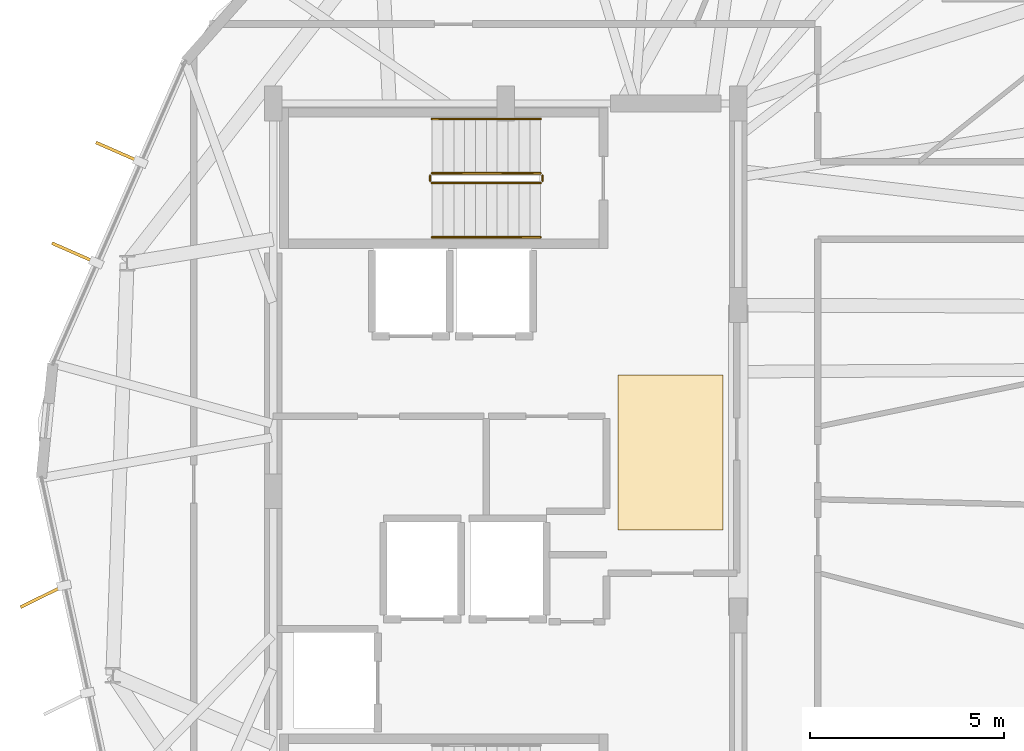
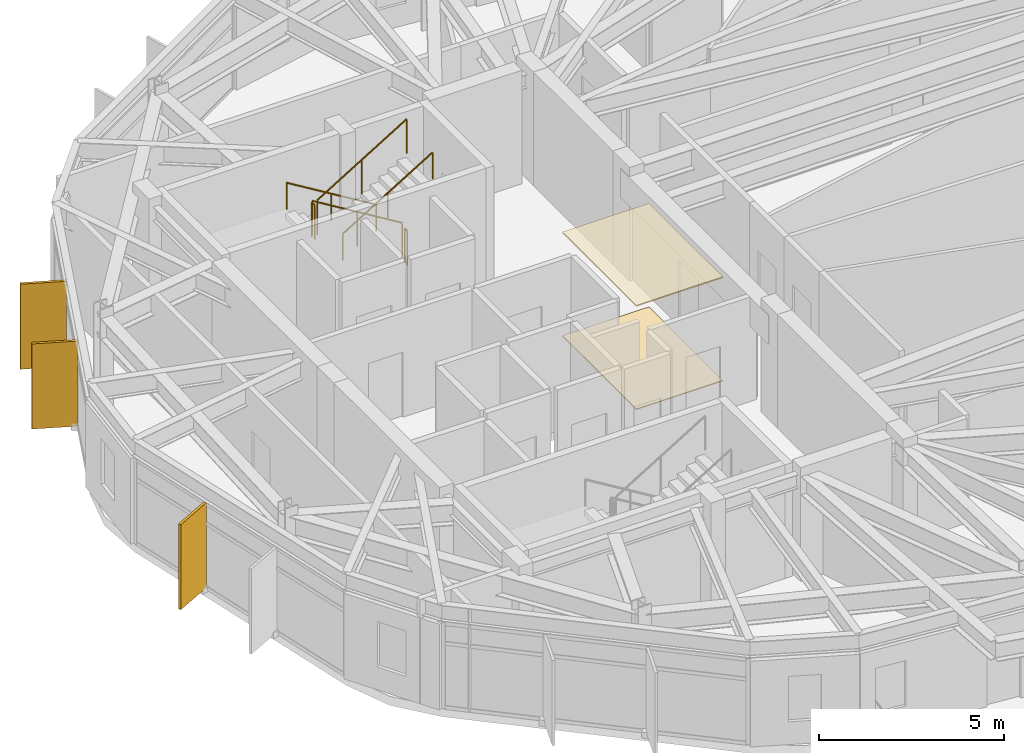
# One storey, part 24 of 25: 6 railings, 3 shading devices, 2 coverings.
"""IFC4 building model written with IfcOpenShell, lengths in metres."""

from ifc_helpers import new_model, si_unit, direction, frame, origin, origin_2d, place, context, subcontext, project, spatial, polyline, rectangle, circle, outline, extrude, material, layer, layer_set, type_object, element, save


model = new_model("IFC4")

# Units and contexts
model_context = context("Model", 3, precision=1e-05, world=origin(), true_north=direction((0.0, 1.0)))
body_context = subcontext(model_context, "Body", "Model", "MODEL_VIEW")
ifc_project = project(units=[si_unit("LENGTHUNIT", "METRE"), si_unit("AREAUNIT", "SQUARE_METRE"), si_unit("VOLUMEUNIT", "CUBIC_METRE"), si_unit("PLANEANGLEUNIT", "RADIAN"), si_unit("MASSUNIT", "GRAM", prefix="KILO")], contexts=[model_context])

# Site, building, storey
site_placement = place(None, origin())
site = spatial("IfcSite", under=ifc_project, at=site_placement, CompositionType="ELEMENT")
building_placement = place(site_placement, origin())
building = spatial("IfcBuilding", under=site, at=building_placement, Name="Soratama Intermodal Tower", CompositionType="ELEMENT")
storey_placement = place(building_placement, frame((0.0, 0.0, 276.25)))
storey = spatial("IfcBuildingStorey", under=building, at=storey_placement, Name="L70", CompositionType="ELEMENT", Elevation=276.25)

# Coverings
ifc_material_1 = material(Name="Perforated mineral acoustic ceiling", Category="concrete")
ifc_layer_1 = layer(ifc_material_1, 0.0400390625)
ifc_layer_set_1 = layer_set([ifc_layer_1], Name="Perforated mineral acoustic ceiling")
covering_type_1 = type_object("IfcCoveringType", Name="CV-CEIL-ACOUSTIC", PredefinedType="CEILING", material=ifc_layer_set_1)
covering_1_placement = place(storey_placement, frame((0.0, 0.0, 3.409912109375)))
element("IfcCovering", 1, at=covering_1_placement, inside=storey, type_object=covering_type_1, Name="L70 Acoustic Ceiling", PredefinedType="CEILING", context=body_context, shape_type="SweptSolid", body=[
    extrude(outline(polyline([(41.5, 24.0), (44.199951171875, 24.0), (44.199951171875, 28.0), (41.5, 28.0), (41.5, 24.0)])), origin(), (0.0, 0.0, 1.0), 0.0400390625),
])
ifc_material_2 = material(Name="Polished Andean stone terrazzo flooring", Category="masonry")
ifc_layer_2 = layer(ifc_material_2, 0.030029296875)
ifc_layer_set_2 = layer_set([ifc_layer_2], Name="Polished Andean stone terrazzo flooring")
covering_type_2 = type_object("IfcCoveringType", Name="CV-FLOR-TERRAZZO", PredefinedType="FLOORING", material=ifc_layer_set_2)
covering_2_placement = place(storey_placement, origin())
element("IfcCovering", 2, at=covering_2_placement, inside=storey, type_object=covering_type_2, Name="L70 Lobby Terrazzo Flooring", PredefinedType="FLOORING", context=body_context, shape_type="SweptSolid", body=[
    extrude(outline(polyline([(41.5, 24.0), (44.199951171875, 24.0), (44.199951171875, 28.0), (41.5, 28.0), (41.5, 24.0)])), origin(), (0.0, 0.0, 1.0), 0.030029296875),
])

# Railings
ifc_material_3 = material(Name="Painted steel stair guardrail", Category="steel")
railing_type_1 = type_object("IfcRailingType", Name="RL-STAIR-GUARD", PredefinedType="GUARDRAIL", material=ifc_material_3)
railing_1_placement = place(storey_placement, frame((39.5, 33.199951171875, 0.17041015625)))
element("IfcRailing", 3, at=railing_1_placement, inside=storey, type_object=railing_type_1, Name="L70 ST-2 stair guard 1", PredefinedType="GUARDRAIL", context=body_context, shape_type="SweptSolid", body=[
    extrude(circle(Radius=0.02392578125, at=origin_2d()), frame((0.0, 0.0, 1.1259765625), z_axis=(-0.854169791009, 0.0, 0.51999420009), x_axis=(0.0, -1.0, 0.0)), (0.0, 0.0, 1.0), 3.278076171875),
    extrude(circle(Radius=0.02099609375, at=origin_2d()), origin(), (0.0, 0.0, 1.0), 1.101806640625),
    extrude(circle(Radius=0.02099609375, at=origin_2d()), frame((-1.39990234375, 0.0, 0.852294921875)), (0.0, 0.0, 1.0), 1.101806640625),
    extrude(circle(Radius=0.02099609375, at=origin_2d()), frame((-2.800048828125, 0.0, 1.70458984375)), (0.0, 0.0, 1.0), 1.101806640625),
])
railing_2_placement = place(storey_placement, frame((36.64990234375, 33.14990234375, 1.875)))
element("IfcRailing", 4, at=railing_2_placement, inside=storey, type_object=railing_type_1, Name="L70 ST-2 stair guard 2", PredefinedType="GUARDRAIL", context=body_context, shape_type="SweptSolid", body=[
    extrude(circle(Radius=0.02392578125, at=origin_2d()), frame((0.0, 0.0, 1.1259765625), z_axis=(0.0, -1.0, 0.0), x_axis=(1.0, 0.0, 0.0)), (0.0, 0.0, 1.0), 0.14990234375),
    extrude(circle(Radius=0.02099609375, at=origin_2d()), origin(), (0.0, 0.0, 1.0), 1.101806640625),
    extrude(circle(Radius=0.02099609375, at=origin_2d()), frame((0.0, -0.14990234375, 0.0)), (0.0, 0.0, 1.0), 1.101806640625),
])
railing_3_placement = place(storey_placement, frame((36.699951171875, 32.949951171875, 2.04541015625)))
element("IfcRailing", 5, at=railing_3_placement, inside=storey, type_object=railing_type_1, Name="L70 ST-2 stair guard 3", PredefinedType="GUARDRAIL", context=body_context, shape_type="SweptSolid", body=[
    extrude(circle(Radius=0.02392578125, at=origin_2d()), frame((0.0, 0.0, 1.1259765625), z_axis=(0.854169791009, 0.0, 0.51999420009), x_axis=(0.0, 1.0, 0.0)), (0.0, 0.0, 1.0), 3.278076171875),
    extrude(circle(Radius=0.02099609375, at=origin_2d()), origin(), (0.0, 0.0, 1.0), 1.101806640625),
    extrude(circle(Radius=0.02099609375, at=origin_2d()), frame((1.39990234375, 0.0, 0.852294921875)), (0.0, 0.0, 1.0), 1.101806640625),
    extrude(circle(Radius=0.02099609375, at=origin_2d()), frame((2.800048828125, 0.0, 1.70458984375)), (0.0, 0.0, 1.0), 1.101806640625),
])
railing_4_placement = place(storey_placement, frame((39.550048828125, 33.14990234375, 0.0)))
element("IfcRailing", 6, at=railing_4_placement, inside=storey, type_object=railing_type_1, Name="L70 ST-2 stair guard 4", PredefinedType="GUARDRAIL", context=body_context, shape_type="SweptSolid", body=[
    extrude(circle(Radius=0.02392578125, at=origin_2d()), frame((0.0, 0.0, 1.1259765625), z_axis=(0.0, -1.0, 0.0), x_axis=(1.0, 0.0, 0.0)), (0.0, 0.0, 1.0), 0.14990234375),
    extrude(circle(Radius=0.02099609375, at=origin_2d()), origin(), (0.0, 0.0, 1.0), 1.101806640625),
    extrude(circle(Radius=0.02099609375, at=origin_2d()), frame((0.0, -0.14990234375, 0.0)), (0.0, 0.0, 1.0), 1.101806640625),
])
ifc_material_4 = material(Name="Brushed stainless steel handrail", Category="steel")
railing_type_2 = type_object("IfcRailingType", Name="RL-STAIR-HAND", PredefinedType="HANDRAIL", material=ifc_material_4)
railing_5_placement = place(storey_placement, frame((39.5, 34.60009765625, 0.17041015625)))
element("IfcRailing", 7, at=railing_5_placement, inside=storey, type_object=railing_type_2, Name="L70 ST-2 stair handrail 1", PredefinedType="HANDRAIL", context=body_context, shape_type="SweptSolid", body=[
    extrude(circle(Radius=0.02392578125, at=origin_2d()), frame((0.0, 0.0, 0.8759765625), z_axis=(-0.854169791009, 0.0, 0.51999420009), x_axis=(0.0, -1.0, 0.0)), (0.0, 0.0, 1.0), 3.278076171875),
    extrude(circle(Radius=0.02099609375, at=origin_2d()), origin(), (0.0, 0.0, 1.0), 0.851806640625),
    extrude(circle(Radius=0.02099609375, at=origin_2d()), frame((-1.39990234375, 0.0, 0.852294921875)), (0.0, 0.0, 1.0), 0.851806640625),
    extrude(circle(Radius=0.02099609375, at=origin_2d()), frame((-2.800048828125, 0.0, 1.70458984375)), (0.0, 0.0, 1.0), 0.851806640625),
])
railing_6_placement = place(storey_placement, frame((36.699951171875, 31.550048828125, 2.04541015625)))
element("IfcRailing", 8, at=railing_6_placement, inside=storey, type_object=railing_type_2, Name="L70 ST-2 stair handrail 2", PredefinedType="HANDRAIL", context=body_context, shape_type="SweptSolid", body=[
    extrude(circle(Radius=0.02392578125, at=origin_2d()), frame((0.0, 0.0, 0.8759765625), z_axis=(0.854169791009, 0.0, 0.51999420009), x_axis=(0.0, 1.0, 0.0)), (0.0, 0.0, 1.0), 3.278076171875),
    extrude(circle(Radius=0.02099609375, at=origin_2d()), origin(), (0.0, 0.0, 1.0), 0.851806640625),
    extrude(circle(Radius=0.02099609375, at=origin_2d()), frame((1.39990234375, 0.0, 0.852294921875)), (0.0, 0.0, 1.0), 0.851806640625),
    extrude(circle(Radius=0.02099609375, at=origin_2d()), frame((2.800048828125, 0.0, 1.70458984375)), (0.0, 0.0, 1.0), 0.851806640625),
])

# Shading devices
ifc_material_5 = material(Name="Champagne anodised aluminium solar fin", Category="aluminium")
ifc_layer_3 = layer(ifc_material_5, 0.080078125)
ifc_layer_set_3 = layer_set([ifc_layer_3], Name="Champagne anodised aluminium solar fin")
shading_device_type = type_object("IfcShadingDeviceType", Name="SH-FIN-1250", PredefinedType="USERDEFINED", material=ifc_layer_set_3)
for number, where, z_axis, x_axis, name in (
    (9, (28.60693359375, 33.7431640625, 0.02001953125), (0.0, 0.0, 1.0), (-0.91566259334, 0.401947776656, 0.0), "L70 Solar Fin F03-1"),
    (10, (27.468017578125, 31.14892578125, 0.02001953125), (0.0, 0.0, 1.0), (-0.91566259334, 0.401947776656, 0.0), "L70 Solar Fin F03-2"),
    (11, (26.651123046875, 22.288330078125, 0.02001953125), (0.0, 0.0, 1.0), (-0.895634143119, -0.444791503606, 0.0), "L70 Solar Fin F04-1"),
):
    element("IfcShadingDevice", number, at=place(storey_placement, frame(where, z_axis=z_axis, x_axis=x_axis)), inside=storey, type_object=shading_device_type, Name=name, ObjectType="FIN", PredefinedType="USERDEFINED", context=body_context, shape_type="SweptSolid", body=[
        extrude(rectangle(XDim=1.25, YDim=0.080078125, at=origin_2d()), origin(), (0.0, 0.0, 1.0), 2.80908203125),
    ])

save(model, "model.ifc")
